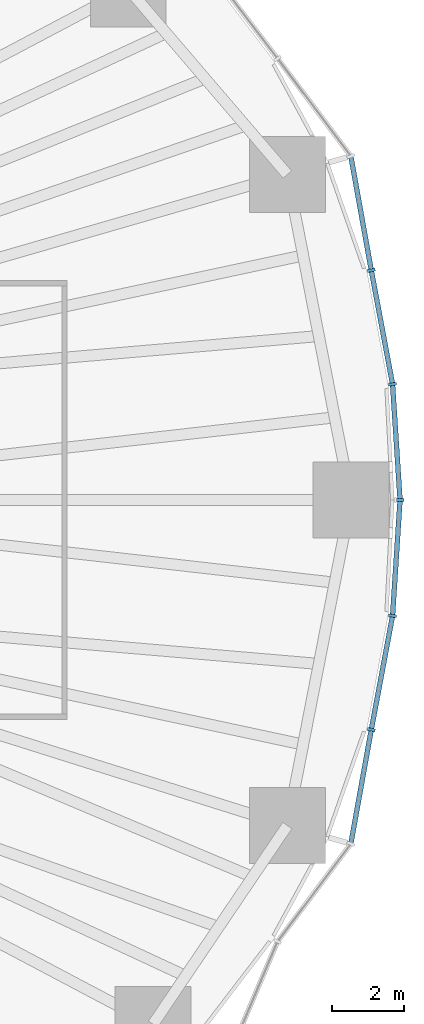
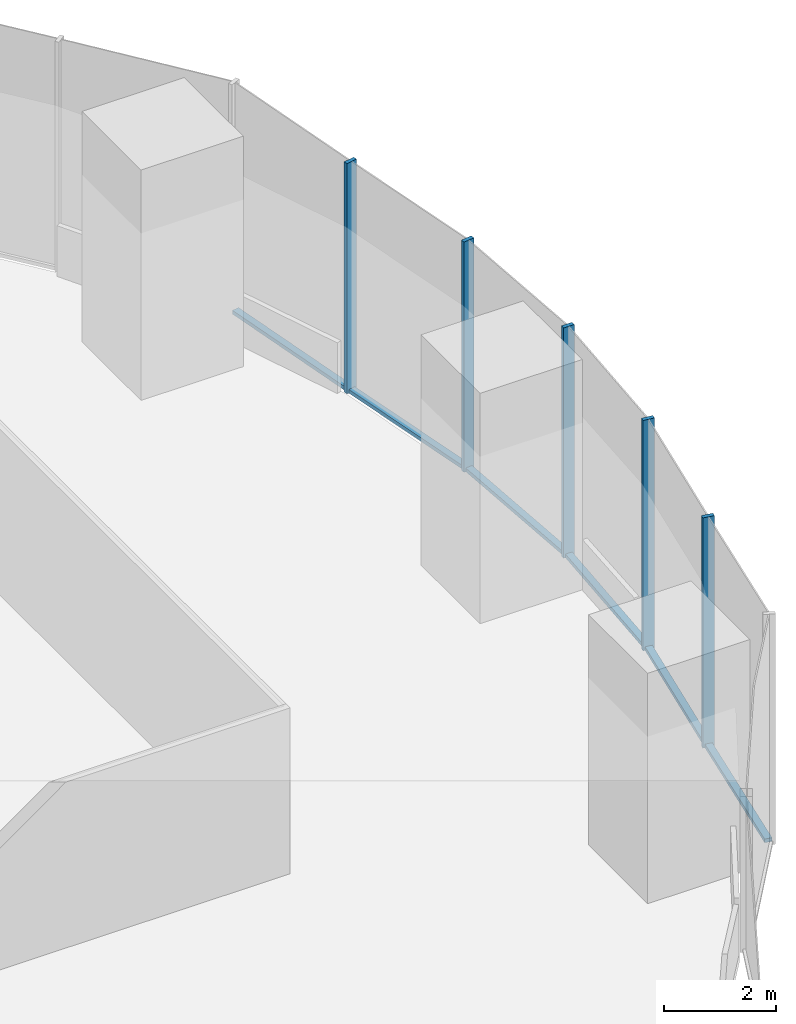
# One storey, part 7 of 20: 11 members, 2 elements without a shape of their own.
"""IFC4 building model written with IfcOpenShell, lengths in metres."""

from ifc_helpers import new_model, si_unit, direction, frame, origin, origin_2d, place, context, subcontext, project, spatial, rectangle, extrude, material, material_profile, profile_set, type_object, element, aggregate, save


model = new_model("IFC4")

# Units and contexts
model_context = context("Model", 3, precision=1e-05, world=origin(), true_north=direction((0.0, 1.0)))
body_context = subcontext(model_context, "Body", "Model", "MODEL_VIEW")
ifc_project = project(units=[si_unit("LENGTHUNIT", "METRE"), si_unit("AREAUNIT", "SQUARE_METRE"), si_unit("VOLUMEUNIT", "CUBIC_METRE"), si_unit("PLANEANGLEUNIT", "RADIAN"), si_unit("MASSUNIT", "GRAM", prefix="KILO")], contexts=[model_context])

# Site, building, storey
site_placement = place(None, origin())
site = spatial("IfcSite", under=ifc_project, at=site_placement, CompositionType="ELEMENT")
building_placement = place(site_placement, origin())
building = spatial("IfcBuilding", under=site, at=building_placement, Name="Ghaith Harvest Tower", CompositionType="ELEMENT")
storey_placement = place(building_placement, frame((0.0, 0.0, 50.0)))
storey = spatial("IfcBuildingStorey", under=building, at=storey_placement, Name="L10", CompositionType="ELEMENT", Elevation=50.0)

# Curtain wall, members
ifc_material_1 = material(Name="Black anodised aluminium and fritted glass", Category="aluminium")
curtain_wall_type = type_object("IfcCurtainWallType", Name="CW-F CURTAIN WALL", PredefinedType="NOTDEFINED", material=ifc_material_1)
curtain_wall_1_placement = place(storey_placement, origin())
curtain_wall_1 = element("IfcCurtainWall", 1, at=curtain_wall_1_placement, inside=storey, type_object=curtain_wall_type, Name="Curtain wall CW-F bay 01 L10", PredefinedType="NOTDEFINED")
ifc_material_2 = material(Name="Aluminium, black anodised", Category="aluminium")
ifc_material_profile_1 = material_profile(ifc_material_2, rectangle(XDim=0.080078125, YDim=0.219970703125, at=origin_2d()), Name="CW-F MULLION 80x220")
ifc_profile_set_1 = profile_set([ifc_material_profile_1], Name="Aluminium, black anodised")
member_type_1 = type_object("IfcMemberType", Name="CW-F MULLION 80x220", PredefinedType="MULLION", material=ifc_profile_set_1)
member_1_placement = place(storey_placement, frame((34.284912109375, 0.0, 0.0), z_axis=(0.0, 0.0, 1.0), x_axis=(1.05e-10, 1.0, 0.0)))
member_1 = element("IfcMember", 2, at=member_1_placement, type_object=member_type_1, Name="CW-F mullion 1 bay 01 L10", PredefinedType="MULLION", context=body_context, shape_type="SweptSolid", body=[
    extrude(rectangle(XDim=0.080078125, YDim=0.219970703125, at=origin_2d()), origin(), (0.0, 0.0, 1.0), 5.0),
])
member_2_placement = place(storey_placement, frame((34.077880859375, 3.205322265625, 0.0), z_axis=(0.0, 0.0, 1.0), x_axis=(-0.12416951168, 0.992261020281, 0.0)))
member_2 = element("IfcMember", 3, at=member_2_placement, type_object=member_type_1, Name="CW-F mullion 2 bay 01 L10", PredefinedType="MULLION", context=body_context, shape_type="SweptSolid", body=[
    extrude(rectangle(XDim=0.080078125, YDim=0.219970703125, at=origin_2d()), origin(), (0.0, 0.0, 1.0), 5.0),
])
member_3_placement = place(storey_placement, frame((33.489501953125, 6.3564453125, 0.0), z_axis=(0.0, 0.0, 1.0), x_axis=(-0.179943325455, 0.98367697931, 0.0)))
member_3 = element("IfcMember", 4, at=member_3_placement, type_object=member_type_1, Name="CW-F mullion 3 bay 01 L10", PredefinedType="MULLION", context=body_context, shape_type="SweptSolid", body=[
    extrude(rectangle(XDim=0.080078125, YDim=0.219970703125, at=origin_2d()), origin(), (0.0, 0.0, 1.0), 5.0),
])

curtain_wall_2_placement = place(storey_placement, origin())
curtain_wall_2 = element("IfcCurtainWall", 5, at=curtain_wall_2_placement, inside=storey, type_object=curtain_wall_type, Name="Curtain wall CW-F bay 20 L10", PredefinedType="NOTDEFINED")
member_4_placement = place(storey_placement, frame((33.489501953125, -6.3564453125, 0.0), z_axis=(0.0, 0.0, 1.0), x_axis=(0.17994332573, 0.98367697926, 0.0)))
member_4 = element("IfcMember", 6, at=member_4_placement, type_object=member_type_1, Name="CW-F mullion 2 bay 20 L10", PredefinedType="MULLION", context=body_context, shape_type="SweptSolid", body=[
    extrude(rectangle(XDim=0.080078125, YDim=0.219970703125, at=origin_2d()), origin(), (0.0, 0.0, 1.0), 5.0),
])
member_5_placement = place(storey_placement, frame((34.077880859375, -3.205322265625, 0.0), z_axis=(0.0, 0.0, 1.0), x_axis=(0.124169511819, 0.992261020264, 0.0)))
member_5 = element("IfcMember", 7, at=member_5_placement, type_object=member_type_1, Name="CW-F mullion 3 bay 20 L10", PredefinedType="MULLION", context=body_context, shape_type="SweptSolid", body=[
    extrude(rectangle(XDim=0.080078125, YDim=0.219970703125, at=origin_2d()), origin(), (0.0, 0.0, 1.0), 5.0),
])

# Member
ifc_material_3 = material(Name="Aluminium, black anodised", Category="aluminium")
ifc_material_profile_2 = material_profile(ifc_material_3, rectangle(XDim=0.139892578125, YDim=0.080078125, at=origin_2d()), Name="CW-F TRANSOM 140x80")
ifc_profile_set_2 = profile_set([ifc_material_profile_2], Name="Aluminium, black anodised")
member_type_2 = type_object("IfcMemberType", Name="CW-F TRANSOM 140x80", PredefinedType="USERDEFINED", material=ifc_profile_set_2)
member_6_placement = place(storey_placement, frame((34.282470703125, 0.039794921875, 0.0400390625), z_axis=(-0.064459898973, 0.997920298132, 0.0), x_axis=(-0.997920298132, -0.064459898973, 0.0)))
member_6 = element("IfcMember", 8, at=member_6_placement, type_object=member_type_2, Name="CW-F transom 1 bay 01 L10", ObjectType="TRANSOM", PredefinedType="USERDEFINED", context=body_context, shape_type="SweptSolid", body=[
    extrude(rectangle(XDim=0.139892578125, YDim=0.080078125, at=origin_2d()), origin(), (0.0, 0.0, 1.0), 3.13232421875),
])

member_7_placement = place(storey_placement, frame((34.070556640625, 3.24462890625, 0.0400390625), z_axis=(-0.183557496381, 0.983008975301, 0.0), x_axis=(-0.983008975301, -0.183557496381, 0.0)))
member_7 = element("IfcMember", 9, at=member_7_placement, type_object=member_type_2, Name="CW-F transom 2 bay 01 L10", ObjectType="TRANSOM", PredefinedType="USERDEFINED", context=body_context, shape_type="SweptSolid", body=[
    extrude(rectangle(XDim=0.139892578125, YDim=0.080078125, at=origin_2d()), origin(), (0.0, 0.0, 1.0), 3.125732421875),
])

member_8_placement = place(storey_placement, frame((33.482421875, 6.395751953125, 0.0400390625), z_axis=(-0.176303612865, 0.984335835013, 0.0), x_axis=(-0.984335835013, -0.176303612865, 0.0)))
member_8 = element("IfcMember", 10, at=member_8_placement, type_object=member_type_2, Name="CW-F transom 3 bay 01 L10", ObjectType="TRANSOM", PredefinedType="USERDEFINED", context=body_context, shape_type="SweptSolid", body=[
    extrude(rectangle(XDim=0.139892578125, YDim=0.080078125, at=origin_2d()), origin(), (0.0, 0.0, 1.0), 3.129638671875),
])

aggregate(curtain_wall_1, [member_1, member_6, member_2, member_7, member_3, member_8])

member_9_placement = place(storey_placement, frame((32.9306640625, -9.476318359375, 0.0400390625), z_axis=(0.176303612865, 0.984335835013, 0.0), x_axis=(-0.984335835013, 0.176303612865, 0.0)))
member_9 = element("IfcMember", 11, at=member_9_placement, type_object=member_type_2, Name="CW-F transom 1 bay 20 L10", ObjectType="TRANSOM", PredefinedType="USERDEFINED", context=body_context, shape_type="SweptSolid", body=[
    extrude(rectangle(XDim=0.139892578125, YDim=0.080078125, at=origin_2d()), origin(), (0.0, 0.0, 1.0), 3.129638671875),
])

member_10_placement = place(storey_placement, frame((33.496826171875, -6.317138671875, 0.0400390625), z_axis=(0.183557496381, 0.983008975301, 0.0), x_axis=(-0.983008975301, 0.183557496381, 0.0)))
member_10 = element("IfcMember", 12, at=member_10_placement, type_object=member_type_2, Name="CW-F transom 2 bay 20 L10", ObjectType="TRANSOM", PredefinedType="USERDEFINED", context=body_context, shape_type="SweptSolid", body=[
    extrude(rectangle(XDim=0.139892578125, YDim=0.080078125, at=origin_2d()), origin(), (0.0, 0.0, 1.0), 3.125732421875),
])

member_11_placement = place(storey_placement, frame((34.08056640625, -3.16552734375, 0.0400390625), z_axis=(0.064459898973, 0.997920298132, 0.0), x_axis=(-0.997920298132, 0.064459898973, 0.0)))
member_11 = element("IfcMember", 13, at=member_11_placement, type_object=member_type_2, Name="CW-F transom 3 bay 20 L10", ObjectType="TRANSOM", PredefinedType="USERDEFINED", context=body_context, shape_type="SweptSolid", body=[
    extrude(rectangle(XDim=0.139892578125, YDim=0.080078125, at=origin_2d()), origin(), (0.0, 0.0, 1.0), 3.13232421875),
])

aggregate(curtain_wall_2, [member_9, member_4, member_10, member_5, member_11])

save(model, "model.ifc")
